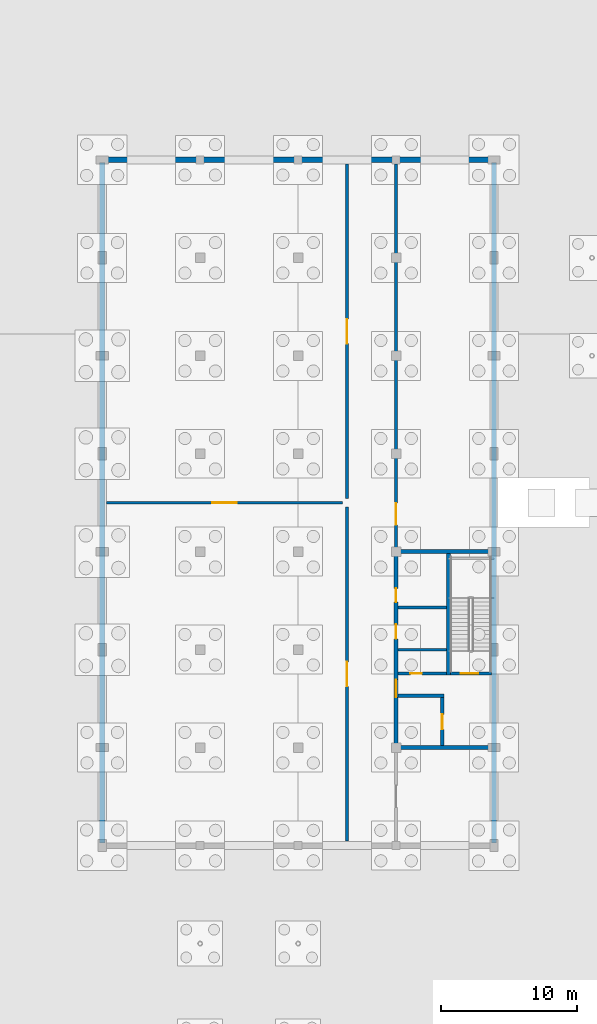
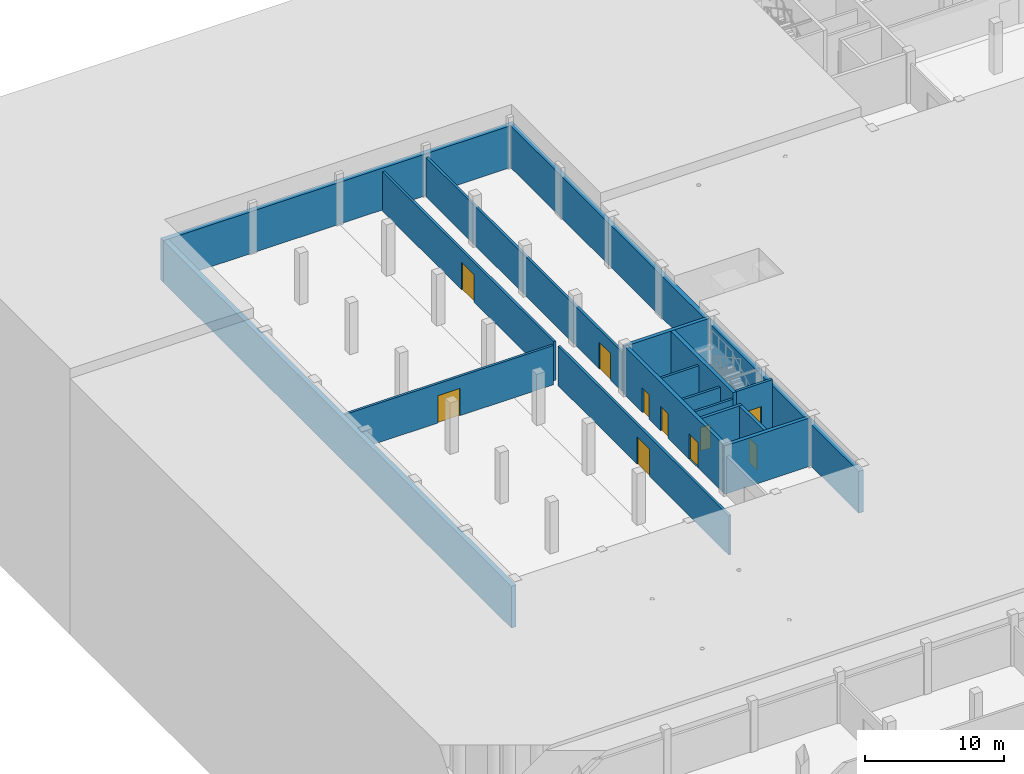
# One storey, part 28 of 51: 17 walls, 10 doors, 10 openings.
"""IFC4 building model written with IfcOpenShell, lengths in metres."""

from ifc_helpers import new_model, si_unit, direction, frame, frame_2d, origin, place, context, subcontext, project, spatial, rectangle, extrude, material, layer, layer_set, type_object, element, fill, save


model = new_model("IFC4")

# Units and contexts
model_context = context("Model", 3, precision=1e-05, world=origin(), true_north=direction((0.0, 1.0)))
body_context = subcontext(model_context, "Body", "Model", "MODEL_VIEW")
ifc_project = project(units=[si_unit("LENGTHUNIT", "METRE"), si_unit("AREAUNIT", "SQUARE_METRE"), si_unit("VOLUMEUNIT", "CUBIC_METRE"), si_unit("PLANEANGLEUNIT", "RADIAN"), si_unit("MASSUNIT", "GRAM", prefix="KILO")], contexts=[model_context])

# Site, building, storey
site_placement = place(None, origin())
site = spatial("IfcSite", under=ifc_project, at=site_placement, CompositionType="ELEMENT")
building_placement = place(site_placement, origin())
building = spatial("IfcBuilding", under=site, at=building_placement, Name="Zlatovets Crest Museum", CompositionType="ELEMENT")
storey_placement = place(building_placement, frame((0.0, 0.0, -4.5)))
storey = spatial("IfcBuildingStorey", under=building, at=storey_placement, Name="B1", CompositionType="ELEMENT", Elevation=-4.5)

# Walls
ifc_material_1 = material(Name="Concrete C35/45", Category="concrete")
ifc_layer_1 = layer(ifc_material_1, 0.300048828125)
ifc_layer_set_1 = layer_set([ifc_layer_1], Name="Concrete C35/45")
wall_type_1 = type_object("IfcWallType", Name="CoreWall_SW01", PredefinedType="SHEAR", material=ifc_layer_set_1)
for number, where, z_axis, x_axis, name in (
    (1, (28.64990234375, 57.60009765625, 0.0), (0.0, 0.0, 1.0), (1.0, 0.0, 0.0), "Core C4 B1 South Shear Wall"),
    (2, (28.64990234375, 72.0, 0.0), (0.0, 0.0, 1.0), (1.0, 0.0, 0.0), "Core C4 B1 North Shear Wall"),
):
    element("IfcWall", number, at=place(storey_placement, frame(where, z_axis=z_axis, x_axis=x_axis)), inside=storey, type_object=wall_type_1, Name=name, PredefinedType="SHEAR", context=body_context, shape_type="SweptSolid", body=[
        extrude(rectangle(XDim=7.150146484375, YDim=0.300048828125, at=frame_2d((3.5751953125, 0.0))), origin(), (0.0, 0.0, 1.0), 4.25),
    ])

# Wall, openings, doors
wall_1_placement = place(storey_placement, frame((28.800048828125, 57.75, 0.0), z_axis=(0.0, 0.0, 1.0), x_axis=(0.0, 1.0, 0.0)))
wall_1 = element("IfcWall", 3, at=wall_1_placement, inside=storey, type_object=wall_type_1, Name="Core C4 B1 Spine Shear Wall", PredefinedType="SHEAR", context=body_context, shape_type="SweptSolid", body=[
    extrude(rectangle(XDim=14.10009765625, YDim=0.300048828125, at=frame_2d((7.050048828125, 0.0))), origin(), (0.0, 0.0, 1.0), 4.25),
])
opening_1_placement = place(wall_1_placement, frame((3.550048828125, 0.0, 0.0)))
opening_1 = element("IfcOpeningElement", 4, at=opening_1_placement, cuts=wall_1, Name="Opening FD-01", PredefinedType="OPENING", context=body_context, shape_type="SweptSolid", body=[
    extrude(rectangle(XDim=1.300048828125, YDim=2.199951171875, at=frame_2d((0.64990234375, 1.10009765625))), frame((0.0, 0.16015625, 0.0), z_axis=(0.0, -1.0, 0.0), x_axis=(1.0, 0.0, 0.0)), (0.0, 0.0, 1.0), 0.320068359375),
])
opening_2_placement = place(wall_1_placement, frame((7.85009765625, 0.0, 0.0)))
opening_2 = element("IfcOpeningElement", 5, at=opening_2_placement, cuts=wall_1, Name="Opening ID-02", PredefinedType="OPENING", context=body_context, shape_type="SweptSolid", body=[
    extrude(rectangle(XDim=1.050048828125, YDim=2.14990234375, at=frame_2d((0.52490234375, 1.074951171875))), frame((0.0, 0.16015625, 0.0), z_axis=(0.0, -1.0, 0.0), x_axis=(1.0, 0.0, 0.0)), (0.0, 0.0, 1.0), 0.320068359375),
])
opening_3_placement = place(wall_1_placement, frame((10.550048828125, 0.0, 0.0)))
opening_3 = element("IfcOpeningElement", 6, at=opening_3_placement, cuts=wall_1, Name="Opening ID-01", PredefinedType="OPENING", context=body_context, shape_type="SweptSolid", body=[
    extrude(rectangle(XDim=1.0, YDim=2.14990234375, at=frame_2d((0.5, 1.074951171875))), frame((0.0, 0.16015625, 0.0), z_axis=(0.0, -1.0, 0.0), x_axis=(1.0, 0.0, 0.0)), (0.0, 0.0, 1.0), 0.320068359375),
])
ifc_material_2 = material(Name="Smoke-sealed steel fire door", Category="steel")
door_type_1 = type_object("IfcDoorType", Name="IntDoor_FD-01", OperationType="NOTDEFINED", PredefinedType="DOOR", material=ifc_material_2)
door_1_placement = place(opening_1_placement, origin())
door_1 = element("IfcDoor", 7, at=door_1_placement, inside=storey, type_object=door_type_1, Name="CDOOR-C4-B1-LOB Core C4 B1 Lobby Fire Door", OperationType="SINGLE_SWING_LEFT", OverallHeight=2.199951171875, OverallWidth=1.300048828125, PredefinedType="DOOR", context=body_context, shape_type="SweptSolid", body=[
    extrude(rectangle(XDim=1.300048828125, YDim=2.199951171875, at=frame_2d((0.64990234375, 1.10009765625))), frame((0.0, 0.02490234375, 0.0), z_axis=(0.0, -1.0, 0.0), x_axis=(1.0, 0.0, 0.0)), (0.0, 0.0, 1.0), 0.050048828125),
])
fill(opening_1, door_1)
ifc_material_3 = material(Name="Solid oak museum room door")
door_type_2 = type_object("IfcDoorType", Name="IntDoor_ID-01", OperationType="NOTDEFINED", PredefinedType="DOOR", material=ifc_material_3)
door_2_placement = place(opening_3_placement, origin())
door_2 = element("IfcDoor", 8, at=door_2_placement, inside=storey, type_object=door_type_2, Name="CDOOR-C4-B1-WC Core C4 B1 Public Restroom Door", OperationType="SINGLE_SWING_RIGHT", OverallHeight=2.14990234375, OverallWidth=1.0, PredefinedType="DOOR", context=body_context, shape_type="SweptSolid", body=[
    extrude(rectangle(XDim=1.0, YDim=2.14990234375, at=frame_2d((0.5, 1.074951171875))), frame((0.0, 0.02490234375, 0.0), z_axis=(0.0, -1.0, 0.0), x_axis=(1.0, 0.0, 0.0)), (0.0, 0.0, 1.0), 0.050048828125),
])
fill(opening_3, door_2)
ifc_material_4 = material(Name="Accessible sanitary room door")
door_type_3 = type_object("IfcDoorType", Name="IntDoor_ID-02", OperationType="NOTDEFINED", PredefinedType="DOOR", material=ifc_material_4)
door_3_placement = place(opening_2_placement, origin())
door_3 = element("IfcDoor", 9, at=door_3_placement, inside=storey, type_object=door_type_3, Name="CDOOR-C4-B1-AWC Core C4 B1 Accessible WC Door", OperationType="SINGLE_SWING_LEFT", OverallHeight=2.14990234375, OverallWidth=1.050048828125, PredefinedType="DOOR", context=body_context, shape_type="SweptSolid", body=[
    extrude(rectangle(XDim=1.050048828125, YDim=2.14990234375, at=frame_2d((0.52490234375, 1.074951171875))), frame((0.0, 0.02490234375, 0.0), z_axis=(0.0, -1.0, 0.0), x_axis=(1.0, 0.0, 0.0)), (0.0, 0.0, 1.0), 0.050048828125),
])
fill(opening_2, door_3)

# Wall
wall_2_placement = place(storey_placement, frame((32.64990234375, 62.93994140625, 0.0), z_axis=(0.0, 0.0, 1.0), x_axis=(0.0, 1.0, 0.0)))
element("IfcWall", 10, at=wall_2_placement, inside=storey, type_object=wall_type_1, Name="Core C4 B1 Stair Divider Wall", PredefinedType="SHEAR", context=body_context, shape_type="SweptSolid", body=[
    extrude(rectangle(XDim=8.91015625, YDim=0.300048828125, at=frame_2d((4.455078125, 0.0))), origin(), (0.0, 0.0, 1.0), 4.25),
])

# Wall, opening, door
ifc_layer_2 = layer(ifc_material_1, 0.25)
ifc_layer_set_2 = layer_set([ifc_layer_2], Name="Concrete C35/45")
wall_type_2 = type_object("IfcWallType", Name="CoreWall_SW02", PredefinedType="SHEAR", material=ifc_layer_set_2)
wall_3_placement = place(storey_placement, frame((32.199951171875, 57.75, 0.0), z_axis=(0.0, 0.0, 1.0), x_axis=(0.0, 1.0, 0.0)))
wall_3 = element("IfcWall", 11, at=wall_3_placement, inside=storey, type_object=wall_type_2, Name="Core C4 B1 Lift Shaft Wall", PredefinedType="SHEAR", context=body_context, shape_type="SweptSolid", body=[
    extrude(rectangle(XDim=3.52490234375, YDim=0.25, at=frame_2d((1.762451171875, 0.0))), origin(), (0.0, 0.0, 1.0), 4.25),
])
opening_4_placement = place(wall_3_placement, frame((1.199951171875, 0.0, 0.0)))
opening_4 = element("IfcOpeningElement", 12, at=opening_4_placement, cuts=wall_3, Name="Opening LD-01", PredefinedType="OPENING", context=body_context, shape_type="SweptSolid", body=[
    extrude(rectangle(XDim=1.10009765625, YDim=2.14990234375, at=frame_2d((0.550048828125, 1.074951171875))), frame((0.0, 0.135009765625, 0.0), z_axis=(0.0, -1.0, 0.0), x_axis=(1.0, 0.0, 0.0)), (0.0, 0.0, 1.0), 0.27001953125),
])
ifc_material_5 = material(Name="Stainless-bronze sliding lift landing door")
door_type_4 = type_object("IfcDoorType", Name="IntDoor_LD-01", OperationType="SLIDING_TO_LEFT", PredefinedType="DOOR", material=ifc_material_5)
door_4_placement = place(opening_4_placement, origin())
door_4 = element("IfcDoor", 13, at=door_4_placement, inside=storey, type_object=door_type_4, Name="LDOOR-PL2-B1 Lift PL2 B1 Sliding Landing Door", OperationType="SLIDING_TO_LEFT", OverallHeight=2.14990234375, OverallWidth=1.10009765625, PredefinedType="DOOR", context=body_context, shape_type="SweptSolid", body=[
    extrude(rectangle(XDim=1.10009765625, YDim=2.14990234375, at=frame_2d((0.550048828125, 1.074951171875))), frame((0.0, 0.02490234375, 0.0), z_axis=(0.0, -1.0, 0.0), x_axis=(1.0, 0.0, 0.0)), (0.0, 0.0, 1.0), 0.050048828125),
])
fill(opening_4, door_4)

wall_4_placement = place(storey_placement, frame((32.800048828125, 63.050048828125, 0.0), z_axis=(0.0, 0.0, 1.0), x_axis=(1.0, 0.0, 0.0)))
wall_4 = element("IfcWall", 14, at=wall_4_placement, inside=storey, type_object=wall_type_2, Name="Core C4 B1 Stairwell Fire Wall", PredefinedType="SHEAR", context=body_context, shape_type="SweptSolid", body=[
    extrude(rectangle(XDim=3.0, YDim=0.219970703125, at=frame_2d((1.5, 0.0))), origin(), (0.0, 0.0, 1.0), 4.25),
])
opening_5_placement = place(wall_4_placement, frame((0.75, 0.0, 0.0)))
opening_5 = element("IfcOpeningElement", 15, at=opening_5_placement, cuts=wall_4, Name="Opening FD-01", PredefinedType="OPENING", context=body_context, shape_type="SweptSolid", body=[
    extrude(rectangle(XDim=1.300048828125, YDim=2.199951171875, at=frame_2d((0.64990234375, 1.10009765625))), frame((0.0, 0.1201171875, 0.0), z_axis=(0.0, -1.0, 0.0), x_axis=(1.0, 0.0, 0.0)), (0.0, 0.0, 1.0), 0.239990234375),
])
door_5_placement = place(opening_5_placement, origin())
door_5 = element("IfcDoor", 16, at=door_5_placement, inside=storey, type_object=door_type_1, Name="SDOOR-ST4-B1 Stair ST4 B1 Fire Door", OperationType="SINGLE_SWING_LEFT", OverallHeight=2.199951171875, OverallWidth=1.300048828125, PredefinedType="DOOR", context=body_context, shape_type="SweptSolid", body=[
    extrude(rectangle(XDim=1.300048828125, YDim=2.199951171875, at=frame_2d((0.64990234375, 1.10009765625))), frame((0.0, 0.02490234375, 0.0), z_axis=(0.0, -1.0, 0.0), x_axis=(1.0, 0.0, 0.0)), (0.0, 0.0, 1.0), 0.050048828125),
])
fill(opening_5, door_5)

# Wall
wall_5_placement = place(storey_placement, frame((28.949951171875, 61.39990234375, 0.0), z_axis=(0.0, 0.0, 1.0), x_axis=(1.0, 0.0, 0.0)))
element("IfcWall", 17, at=wall_5_placement, inside=storey, type_object=wall_type_2, Name="Core C4 B1 Lift Shaft North Shear Wall", PredefinedType="SHEAR", context=body_context, shape_type="SweptSolid", body=[
    extrude(rectangle(XDim=3.375, YDim=0.25, at=frame_2d((1.6875, 0.0))), origin(), (0.0, 0.0, 1.0), 4.25),
])

# Wall, opening, door
ifc_material_6 = material(Name="Gypsum-encased fire compartment partition")
ifc_layer_3 = layer(ifc_material_6, 0.199951171875)
ifc_layer_set_3 = layer_set([ifc_layer_3], Name="Gypsum-encased fire compartment partition")
wall_type_3 = type_object("IfcWallType", Name="PartWall_PT-01", PredefinedType="PARTITIONING", material=ifc_layer_set_3)
wall_6_placement = place(storey_placement, frame((25.199951171875, 50.719970703125, 0.0), z_axis=(0.0, 0.0, 1.0), x_axis=(0.0, 1.0, 0.0)))
wall_6 = element("IfcWall", 18, at=wall_6_placement, inside=storey, type_object=wall_type_3, Name="V4 B1 Interior Partition PT-01", PredefinedType="PARTITIONING", context=body_context, shape_type="SweptSolid", body=[
    extrude(rectangle(XDim=24.56005859375, YDim=0.199951171875, at=frame_2d((12.280029296875, 0.0))), origin(), (0.0, 0.0, 1.0), 3.449951171875),
])
opening_6_placement = place(wall_6_placement, frame((11.3798828125, 0.0, 0.0)))
opening_6 = element("IfcOpeningElement", 19, at=opening_6_placement, cuts=wall_6, Name="Opening FD-04", PredefinedType="OPENING", context=body_context, shape_type="SweptSolid", body=[
    extrude(rectangle(XDim=1.800048828125, YDim=2.39990234375, at=frame_2d((0.89990234375, 1.199951171875))), frame((0.0, 0.10986328125, 0.0), z_axis=(0.0, -1.0, 0.0), x_axis=(1.0, 0.0, 0.0)), (0.0, 0.0, 1.0), 0.219970703125),
])
ifc_material_7 = material(Name="Archive vault heavy fire door")
door_type_5 = type_object("IfcDoorType", Name="IntDoor_FD-04", OperationType="DOUBLE_DOOR_SINGLE_SWING", PredefinedType="DOOR", material=ifc_material_7)
door_6_placement = place(opening_6_placement, origin())
door_6 = element("IfcDoor", 20, at=door_6_placement, inside=storey, type_object=door_type_5, Name="IDOOR-V4-B1-0032 West Wing Basement Corridor to Botanical Herbarium Archive Door", OperationType="DOUBLE_DOOR_SINGLE_SWING", OverallHeight=2.39990234375, OverallWidth=1.800048828125, PredefinedType="DOOR", context=body_context, shape_type="SweptSolid", body=[
    extrude(rectangle(XDim=1.800048828125, YDim=2.39990234375, at=frame_2d((0.89990234375, 1.199951171875))), frame((0.0, 0.02490234375, 0.0), z_axis=(0.0, -1.0, 0.0), x_axis=(1.0, 0.0, 0.0)), (0.0, 0.0, 1.0), 0.050048828125),
])
fill(opening_6, door_6)

wall_7_placement = place(storey_placement, frame((25.199951171875, 75.919921875, 0.0), z_axis=(0.0, 0.0, 1.0), x_axis=(0.0, 1.0, 0.0)))
wall_7 = element("IfcWall", 21, at=wall_7_placement, inside=storey, type_object=wall_type_3, Name="V4 B1 Interior Partition PT-01", PredefinedType="PARTITIONING", context=body_context, shape_type="SweptSolid", body=[
    extrude(rectangle(XDim=24.56005859375, YDim=0.199951171875, at=frame_2d((12.280029296875, 0.0))), origin(), (0.0, 0.0, 1.0), 3.449951171875),
])
opening_7_placement = place(wall_7_placement, frame((11.3798828125, 0.0, 0.0)))
opening_7 = element("IfcOpeningElement", 22, at=opening_7_placement, cuts=wall_7, Name="Opening FD-04", PredefinedType="OPENING", context=body_context, shape_type="SweptSolid", body=[
    extrude(rectangle(XDim=1.800048828125, YDim=2.39990234375, at=frame_2d((0.89990234375, 1.199951171875))), frame((0.0, 0.10986328125, 0.0), z_axis=(0.0, -1.0, 0.0), x_axis=(1.0, 0.0, 0.0)), (0.0, 0.0, 1.0), 0.219970703125),
])
door_7_placement = place(opening_7_placement, origin())
door_7 = element("IfcDoor", 23, at=door_7_placement, inside=storey, type_object=door_type_5, Name="IDOOR-V4-B1-0033 West Wing Basement Corridor to Zoological Specimen Archive Door", OperationType="DOUBLE_DOOR_SINGLE_SWING", OverallHeight=2.39990234375, OverallWidth=1.800048828125, PredefinedType="DOOR", context=body_context, shape_type="SweptSolid", body=[
    extrude(rectangle(XDim=1.800048828125, YDim=2.39990234375, at=frame_2d((0.89990234375, 1.199951171875))), frame((0.0, 0.02490234375, 0.0), z_axis=(0.0, -1.0, 0.0), x_axis=(1.0, 0.0, 0.0)), (0.0, 0.0, 1.0), 0.050048828125),
])
fill(opening_7, door_7)

wall_8_placement = place(storey_placement, frame((28.800048828125, 72.320068359375, 0.0), z_axis=(0.0, 0.0, 1.0), x_axis=(0.0, 1.0, 0.0)))
wall_8 = element("IfcWall", 24, at=wall_8_placement, inside=storey, type_object=wall_type_3, Name="V4 B1 Interior Partition PT-01", PredefinedType="PARTITIONING", context=body_context, shape_type="SweptSolid", body=[
    extrude(rectangle(XDim=28.159912109375, YDim=0.199951171875, at=frame_2d((14.080078125, 0.0))), origin(), (0.0, 0.0, 1.0), 3.449951171875),
])
opening_8_placement = place(wall_8_placement, frame((1.648681640625, 0.0, 0.0)))
opening_8 = element("IfcOpeningElement", 25, at=opening_8_placement, cuts=wall_8, Name="Opening ID-04", PredefinedType="OPENING", context=body_context, shape_type="SweptSolid", body=[
    extrude(rectangle(XDim=1.60009765625, YDim=2.35009765625, at=frame_2d((0.800048828125, 1.175048828125))), frame((0.0, 0.10986328125, 0.0), z_axis=(0.0, -1.0, 0.0), x_axis=(1.0, 0.0, 0.0)), (0.0, 0.0, 1.0), 0.219970703125),
])
ifc_material_8 = material(Name="Gallery salon double portal door")
door_type_6 = type_object("IfcDoorType", Name="IntDoor_ID-04", OperationType="DOUBLE_DOOR_SINGLE_SWING", PredefinedType="DOOR", material=ifc_material_8)
door_8_placement = place(opening_8_placement, origin())
door_8 = element("IfcDoor", 26, at=door_8_placement, inside=storey, type_object=door_type_6, Name="IDOOR-V4-B1-0034 West Wing Basement Corridor to Specimen Preparation Laboratory Door", OperationType="DOUBLE_DOOR_SINGLE_SWING", OverallHeight=2.35009765625, OverallWidth=1.60009765625, PredefinedType="DOOR", context=body_context, shape_type="SweptSolid", body=[
    extrude(rectangle(XDim=1.60009765625, YDim=2.35009765625, at=frame_2d((0.800048828125, 1.175048828125))), frame((0.0, 0.02490234375, 0.0), z_axis=(0.0, -1.0, 0.0), x_axis=(1.0, 0.0, 0.0)), (0.0, 0.0, 1.0), 0.050048828125),
])
fill(opening_8, door_8)

wall_9_placement = place(storey_placement, frame((7.52001953125, 75.60009765625, 0.0), z_axis=(0.0, 0.0, 1.0), x_axis=(1.0, 0.0, 0.0)))
wall_9 = element("IfcWall", 27, at=wall_9_placement, inside=storey, type_object=wall_type_3, Name="V4 B1 Interior Partition PT-01", PredefinedType="PARTITIONING", context=body_context, shape_type="SweptSolid", body=[
    extrude(rectangle(XDim=17.35986328125, YDim=0.199951171875, at=frame_2d((8.679931640625, 0.0))), origin(), (0.0, 0.0, 1.0), 3.449951171875),
])
opening_9_placement = place(wall_9_placement, frame((7.780029296875, 0.0, 0.0)))
opening_9 = element("IfcOpeningElement", 28, at=opening_9_placement, cuts=wall_9, Name="Opening FD-04", PredefinedType="OPENING", context=body_context, shape_type="SweptSolid", body=[
    extrude(rectangle(XDim=1.800048828125, YDim=2.39990234375, at=frame_2d((0.89990234375, 1.199951171875))), frame((0.0, 0.10986328125, 0.0), z_axis=(0.0, -1.0, 0.0), x_axis=(1.0, 0.0, 0.0)), (0.0, 0.0, 1.0), 0.219970703125),
])
door_9_placement = place(opening_9_placement, origin())
door_9 = element("IfcDoor", 29, at=door_9_placement, inside=storey, type_object=door_type_5, Name="IDOOR-V4-B1-0036 Botanical Herbarium Archive to Zoological Specimen Archive Door", OperationType="DOUBLE_DOOR_SINGLE_SWING", OverallHeight=2.39990234375, OverallWidth=1.800048828125, PredefinedType="DOOR", context=body_context, shape_type="SweptSolid", body=[
    extrude(rectangle(XDim=1.800048828125, YDim=2.39990234375, at=frame_2d((0.89990234375, 1.199951171875))), frame((0.0, 0.02490234375, 0.0), z_axis=(0.0, -1.0, 0.0), x_axis=(1.0, 0.0, 0.0)), (0.0, 0.0, 1.0), 0.050048828125),
])
fill(opening_9, door_9)

ifc_material_9 = material(Name="Sanitary core acoustic service wall")
ifc_layer_4 = layer(ifc_material_9, 0.219970703125)
ifc_layer_set_4 = layer_set([ifc_layer_4], Name="Sanitary core acoustic service wall")
wall_type_4 = type_object("IfcWallType", Name="PartWall_PT-04", PredefinedType="PLUMBINGWALL", material=ifc_layer_set_4)
wall_10_placement = place(storey_placement, frame((28.949951171875, 63.050048828125, 0.0), z_axis=(0.0, 0.0, 1.0), x_axis=(1.0, 0.0, 0.0)))
wall_10 = element("IfcWall", 30, at=wall_10_placement, inside=storey, type_object=wall_type_4, Name="Core C4 B1 Riser Lobby Wall", PredefinedType="PLUMBINGWALL", context=body_context, shape_type="SweptSolid", body=[
    extrude(rectangle(XDim=3.550048828125, YDim=0.199951171875, at=frame_2d((1.77490234375, 0.0))), origin(), (0.0, 0.0, 1.0), 3.669921875),
])
opening_10_placement = place(wall_10_placement, frame((0.89990234375, 0.0, 0.0)))
opening_10 = element("IfcOpeningElement", 31, at=opening_10_placement, cuts=wall_10, Name="Opening FD-03", PredefinedType="OPENING", context=body_context, shape_type="SweptSolid", body=[
    extrude(rectangle(XDim=0.85009765625, YDim=2.050048828125, at=frame_2d((0.425048828125, 1.02490234375))), frame((0.0, 0.10986328125, 0.0), z_axis=(0.0, -1.0, 0.0), x_axis=(1.0, 0.0, 0.0)), (0.0, 0.0, 1.0), 0.219970703125),
])
ifc_material_10 = material(Name="Steel riser shaft access fire door", Category="steel")
door_type_7 = type_object("IfcDoorType", Name="IntDoor_FD-03", OperationType="NOTDEFINED", PredefinedType="TRAPDOOR", material=ifc_material_10)
door_10_placement = place(opening_10_placement, origin())
door_10 = element("IfcDoor", 32, at=door_10_placement, inside=storey, type_object=door_type_7, Name="CDOOR-C4-B1-RIS Core C4 B1 Riser Access Door", OperationType="SINGLE_SWING_RIGHT", OverallHeight=2.050048828125, OverallWidth=0.85009765625, PredefinedType="TRAPDOOR", context=body_context, shape_type="SweptSolid", body=[
    extrude(rectangle(XDim=0.85009765625, YDim=2.050048828125, at=frame_2d((0.425048828125, 1.02490234375))), frame((0.0, 0.02490234375, 0.0), z_axis=(0.0, -1.0, 0.0), x_axis=(1.0, 0.0, 0.0)), (0.0, 0.0, 1.0), 0.050048828125),
])
fill(opening_10, door_10)

# Walls
for number, where, z_axis, x_axis, name in (
    (33, (28.949951171875, 64.800048828125, 0.0), (0.0, 0.0, 1.0), (1.0, 0.0, 0.0), "Core C4 B1 Sanitary Divider"),
    (34, (28.949951171875, 67.89990234375, 0.0), (0.0, 0.0, 1.0), (1.0, 0.0, 0.0), "Core C4 B1 Sanitary Divider"),
):
    element("IfcWall", number, at=place(storey_placement, frame(where, z_axis=z_axis, x_axis=x_axis)), inside=storey, type_object=wall_type_4, Name=name, PredefinedType="PLUMBINGWALL", context=body_context, shape_type="SweptSolid", body=[
        extrude(rectangle(XDim=3.550048828125, YDim=0.199951171875, at=frame_2d((1.77490234375, 0.0))), origin(), (0.0, 0.0, 1.0), 3.669921875),
    ])
ifc_layer_5 = layer(ifc_material_1, 0.39990234375)
ifc_layer_set_5 = layer_set([ifc_layer_5], Name="Concrete C35/45")
wall_type_5 = type_object("IfcWallType", Name="RetainingWall_RW01", PredefinedType="USERDEFINED", material=ifc_layer_set_5)
wall_11_placement = place(storey_placement, frame((36.0, 50.60009765625, 0.0), z_axis=(0.0, 0.0, 1.0), x_axis=(0.0, 1.0, 0.0)))
element("IfcWall", 35, at=wall_11_placement, inside=storey, type_object=wall_type_5, Name="V4 B1 Retaining Wall E", ObjectType="RETAINING WALL", PredefinedType="USERDEFINED", context=body_context, shape_type="SweptSolid", body=[
    extrude(rectangle(XDim=50.0, YDim=0.39990234375, at=frame_2d((25.0, 0.0))), origin(), (0.0, 0.0, 1.0), 3.669921875),
])
wall_12_placement = place(storey_placement, frame((36.199951171875, 100.800048828125, 0.0), z_axis=(0.0, 0.0, 1.0), x_axis=(-1.0, 0.0, 0.0)))
element("IfcWall", 36, at=wall_12_placement, inside=storey, type_object=wall_type_5, Name="V4 B1 Retaining Wall N", ObjectType="RETAINING WALL", PredefinedType="USERDEFINED", context=body_context, shape_type="SweptSolid", body=[
    extrude(rectangle(XDim=29.199951171875, YDim=0.39990234375, at=frame_2d((14.60009765625, 0.0))), origin(), (0.0, 0.0, 1.0), 3.669921875),
])
wall_13_placement = place(storey_placement, frame((7.199951171875, 100.60009765625, 0.0), z_axis=(0.0, 0.0, 1.0), x_axis=(0.0, -1.0, 0.0)))
element("IfcWall", 37, at=wall_13_placement, inside=storey, type_object=wall_type_5, Name="V4 B1 Retaining Wall W", ObjectType="RETAINING WALL", PredefinedType="USERDEFINED", context=body_context, shape_type="SweptSolid", body=[
    extrude(rectangle(XDim=50.0, YDim=0.39990234375, at=frame_2d((25.0, 0.0))), origin(), (0.0, 0.0, 1.0), 3.669921875),
])

save(model, "model.ifc")
